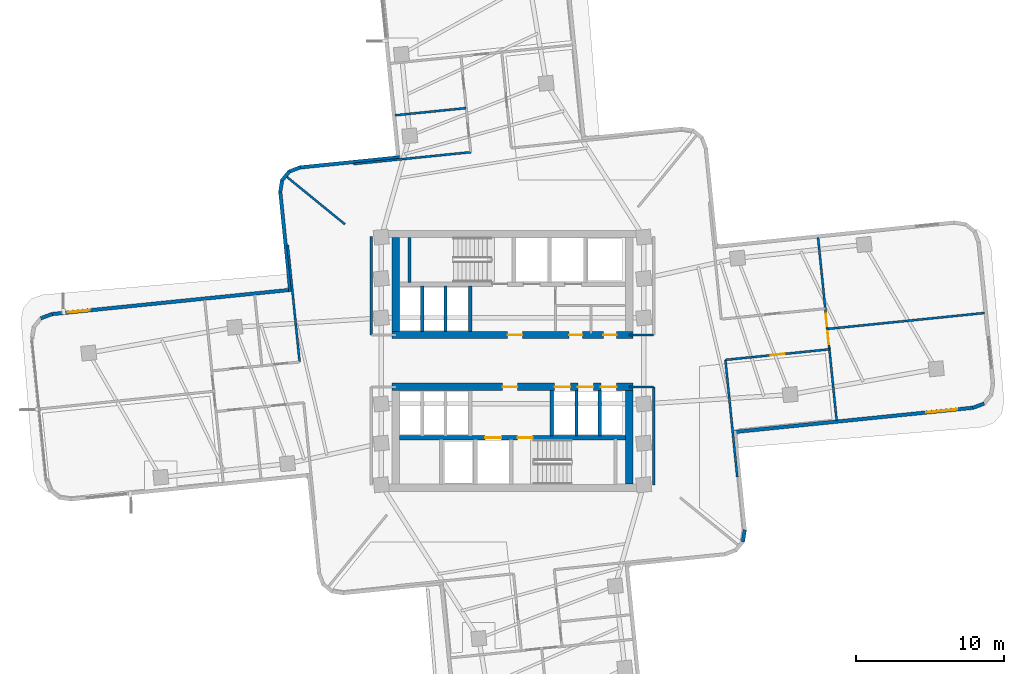
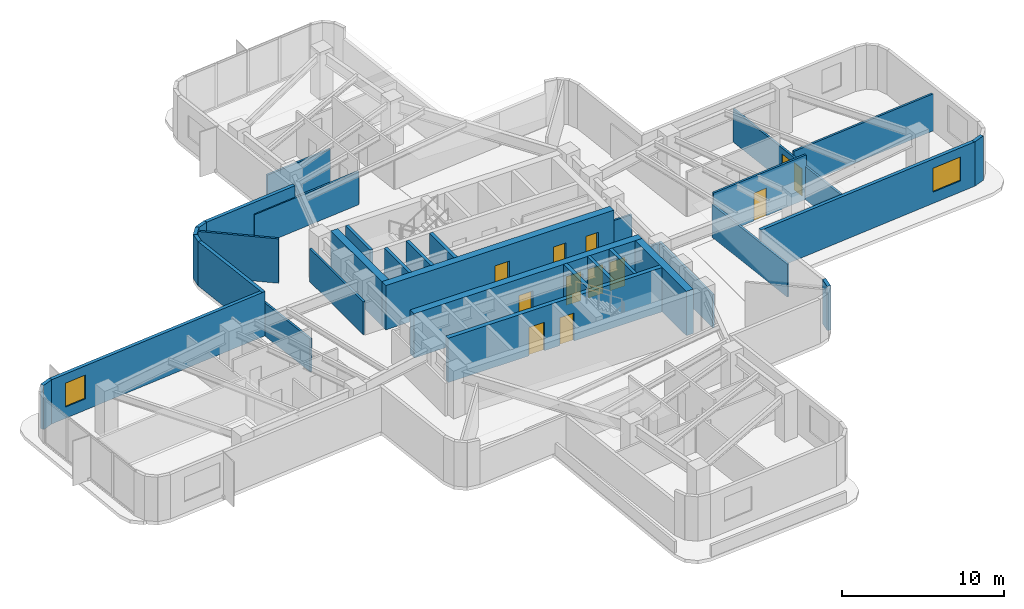
# One storey, part 8 of 14: 34 walls, 12 doors, 2 windows, 14 openings.
"""IFC4 building model written with IfcOpenShell, lengths in metres."""

from ifc_helpers import new_model, si_unit, direction, frame, frame_2d, origin, place, context, subcontext, project, spatial, rectangle, extrude, material, layer, layer_set, type_object, element, fill, save


model = new_model("IFC4")

# Units and contexts
model_context = context("Model", 3, precision=1e-05, world=origin(), true_north=direction((0.0, 1.0)))
body_context = subcontext(model_context, "Body", "Model", "MODEL_VIEW")
ifc_project = project(units=[si_unit("LENGTHUNIT", "METRE"), si_unit("AREAUNIT", "SQUARE_METRE"), si_unit("VOLUMEUNIT", "CUBIC_METRE"), si_unit("PLANEANGLEUNIT", "RADIAN"), si_unit("MASSUNIT", "GRAM", prefix="KILO")], contexts=[model_context])

# Site, building, storey
site_placement = place(None, origin())
site = spatial("IfcSite", under=ifc_project, at=site_placement, CompositionType="ELEMENT")
building_placement = place(site_placement, origin())
building = spatial("IfcBuilding", under=site, at=building_placement, Name="Solmarez Civic Tower", CompositionType="ELEMENT")
storey_placement = place(building_placement, frame((0.0, 0.0, 67.679931640625)))
storey = spatial("IfcBuildingStorey", under=building, at=storey_placement, Name="L17", CompositionType="ELEMENT", Elevation=67.679931640625)

# Wall, openings, doors
ifc_material_1 = material(Name="Concrete C60/75", Category="concrete")
ifc_layer_1 = layer(ifc_material_1, 0.5)
ifc_layer_set_1 = layer_set([ifc_layer_1], Name="Concrete C60/75")
wall_type_1 = type_object("IfcWallType", Name="WALL-CORE-500", PredefinedType="SHEAR", material=ifc_layer_set_1)
wall_1_placement = place(storey_placement, frame((8.1201171875, 1.75, 0.0), z_axis=(0.0, 0.0, 1.0), x_axis=(-1.0, 0.0, 0.0)))
wall_1 = element("IfcWall", 1, at=wall_1_placement, inside=storey, type_object=wall_type_1, Name="L17 Split-Core Structural Wall NCW-S-L17", PredefinedType="SHEAR", context=body_context, shape_type="SweptSolid", body=[
    extrude(rectangle(XDim=16.240234375, YDim=0.5, at=frame_2d((8.1201171875, 0.0))), origin(), (0.0, 0.0, 1.0), 3.340087890625),
])
opening_1_placement = place(wall_1_placement, frame((7.449951171875, 0.0, 0.0)))
opening_1 = element("IfcOpeningElement", 2, at=opening_1_placement, cuts=wall_1, Name="Opening D-04", PredefinedType="OPENING", context=body_context, shape_type="SweptSolid", body=[
    extrude(rectangle(XDim=1.0, YDim=2.10009765625, at=frame_2d((0.5, 1.050048828125))), frame((0.0, 0.260009765625, 0.0), z_axis=(0.0, -1.0, 0.0), x_axis=(1.0, 0.0, 0.0)), (0.0, 0.0, 1.0), 0.52001953125),
])
opening_2_placement = place(wall_1_placement, frame((3.39990234375, 0.0, 0.0)))
opening_2 = element("IfcOpeningElement", 3, at=opening_2_placement, cuts=wall_1, Name="Opening D-09", PredefinedType="OPENING", context=body_context, shape_type="SweptSolid", body=[
    extrude(rectangle(XDim=0.89990234375, YDim=2.06005859375, at=frame_2d((0.449951171875, 1.030029296875))), frame((0.0, 0.260009765625, 0.0), z_axis=(0.0, -1.0, 0.0), x_axis=(1.0, 0.0, 0.0)), (0.0, 0.0, 1.0), 0.52001953125),
])
opening_3_placement = place(wall_1_placement, frame((1.10009765625, 0.0, 0.0)))
opening_3 = element("IfcOpeningElement", 4, at=opening_3_placement, cuts=wall_1, Name="Opening D-09", PredefinedType="OPENING", context=body_context, shape_type="SweptSolid", body=[
    extrude(rectangle(XDim=0.89990234375, YDim=2.06005859375, at=frame_2d((0.449951171875, 1.030029296875))), frame((0.0, 0.260009765625, 0.0), z_axis=(0.0, -1.0, 0.0), x_axis=(1.0, 0.0, 0.0)), (0.0, 0.0, 1.0), 0.52001953125),
])
ifc_material_2 = material(Name="Steel-Faced Acoustic Fire Door", Category="steel")
door_type_1 = type_object("IfcDoorType", Name="DOOR-FD60-1000", OperationType="NOTDEFINED", PredefinedType="DOOR", material=ifc_material_2)
door_1_placement = place(opening_1_placement, origin())
door_1 = element("IfcDoor", 5, at=door_1_placement, inside=storey, type_object=door_type_1, Name="L17 North Firefighting Lobby Door", OperationType="SINGLE_SWING_RIGHT", OverallHeight=2.10009765625, OverallWidth=1.0, PredefinedType="DOOR", context=body_context, shape_type="SweptSolid", body=[
    extrude(rectangle(XDim=1.0, YDim=2.10009765625, at=frame_2d((0.5, 1.050048828125))), frame((0.0, 0.02490234375, 0.0), z_axis=(0.0, -1.0, 0.0), x_axis=(1.0, 0.0, 0.0)), (0.0, 0.0, 1.0), 0.050048828125),
])
fill(opening_1, door_1)
ifc_material_3 = material(Name="Fire-Rated Service Core Door", Category="wood")
door_type_2 = type_object("IfcDoorType", Name="DOOR-FD60-900", OperationType="NOTDEFINED", PredefinedType="DOOR", material=ifc_material_3)
door_2_placement = place(opening_2_placement, origin())
door_2 = element("IfcDoor", 6, at=door_2_placement, inside=storey, type_object=door_type_2, Name="L17 Core WC Door", OperationType="SINGLE_SWING_LEFT", OverallHeight=2.06005859375, OverallWidth=0.89990234375, PredefinedType="DOOR", context=body_context, shape_type="SweptSolid", body=[
    extrude(rectangle(XDim=0.89990234375, YDim=2.06005859375, at=frame_2d((0.449951171875, 1.030029296875))), frame((0.0, 0.02490234375, 0.0), z_axis=(0.0, -1.0, 0.0), x_axis=(1.0, 0.0, 0.0)), (0.0, 0.0, 1.0), 0.050048828125),
])
fill(opening_2, door_2)
door_3_placement = place(opening_3_placement, origin())
door_3 = element("IfcDoor", 7, at=door_3_placement, inside=storey, type_object=door_type_2, Name="L17 Core CL Door", OperationType="SINGLE_SWING_RIGHT", OverallHeight=2.06005859375, OverallWidth=0.89990234375, PredefinedType="DOOR", context=body_context, shape_type="SweptSolid", body=[
    extrude(rectangle(XDim=0.89990234375, YDim=2.06005859375, at=frame_2d((0.449951171875, 1.030029296875))), frame((0.0, 0.02490234375, 0.0), z_axis=(0.0, -1.0, 0.0), x_axis=(1.0, 0.0, 0.0)), (0.0, 0.0, 1.0), 0.050048828125),
])
fill(opening_3, door_3)

# Wall
wall_2_placement = place(storey_placement, frame((-7.8701171875, 2.0, 0.0), z_axis=(0.0, 0.0, 1.0), x_axis=(0.0, 1.0, 0.0)))
element("IfcWall", 8, at=wall_2_placement, inside=storey, type_object=wall_type_1, Name="L17 Split-Core Structural Wall NCW-W-L17", PredefinedType="SHEAR", context=body_context, shape_type="SweptSolid", body=[
    extrude(rectangle(XDim=6.31005859375, YDim=0.5, at=frame_2d((3.155029296875, 0.0))), origin(), (0.0, 0.0, 1.0), 3.340087890625),
])

# Wall, openings, doors
wall_3_placement = place(storey_placement, frame((-8.1201171875, -1.75, 0.0), z_axis=(0.0, 0.0, 1.0), x_axis=(1.0, 0.0, 0.0)))
wall_3 = element("IfcWall", 9, at=wall_3_placement, inside=storey, type_object=wall_type_1, Name="L17 Split-Core Structural Wall SCW-N-L17", PredefinedType="SHEAR", context=body_context, shape_type="SweptSolid", body=[
    extrude(rectangle(XDim=16.240234375, YDim=0.5, at=frame_2d((8.1201171875, 0.0))), origin(), (0.0, 0.0, 1.0), 3.340087890625),
])
opening_4_placement = place(wall_3_placement, frame((7.449951171875, 0.0, 0.0)))
opening_4 = element("IfcOpeningElement", 10, at=opening_4_placement, cuts=wall_3, Name="Opening D-04", PredefinedType="OPENING", context=body_context, shape_type="SweptSolid", body=[
    extrude(rectangle(XDim=1.0, YDim=2.10009765625, at=frame_2d((0.5, 1.050048828125))), frame((0.0, 0.260009765625, 0.0), z_axis=(0.0, -1.0, 0.0), x_axis=(1.0, 0.0, 0.0)), (0.0, 0.0, 1.0), 0.52001953125),
])
opening_5_placement = place(wall_3_placement, frame((10.965087890625, 0.0, 0.0)))
opening_5 = element("IfcOpeningElement", 11, at=opening_5_placement, cuts=wall_3, Name="Opening LD-01", PredefinedType="OPENING", context=body_context, shape_type="SweptSolid", body=[
    extrude(rectangle(XDim=1.050048828125, YDim=2.14990234375, at=frame_2d((0.52490234375, 1.074951171875))), frame((0.0, 0.260009765625, 0.0), z_axis=(0.0, -1.0, 0.0), x_axis=(1.0, 0.0, 0.0)), (0.0, 0.0, 1.0), 0.52001953125),
])
opening_6_placement = place(wall_3_placement, frame((12.52490234375, 0.0, 0.0)))
opening_6 = element("IfcOpeningElement", 12, at=opening_6_placement, cuts=wall_3, Name="Opening LD-01", PredefinedType="OPENING", context=body_context, shape_type="SweptSolid", body=[
    extrude(rectangle(XDim=1.050048828125, YDim=2.14990234375, at=frame_2d((0.52490234375, 1.074951171875))), frame((0.0, 0.260009765625, 0.0), z_axis=(0.0, -1.0, 0.0), x_axis=(1.0, 0.0, 0.0)), (0.0, 0.0, 1.0), 0.52001953125),
])
opening_7_placement = place(wall_3_placement, frame((14.0849609375, 0.0, 0.0)))
opening_7 = element("IfcOpeningElement", 13, at=opening_7_placement, cuts=wall_3, Name="Opening LD-01", PredefinedType="OPENING", context=body_context, shape_type="SweptSolid", body=[
    extrude(rectangle(XDim=1.050048828125, YDim=2.14990234375, at=frame_2d((0.52490234375, 1.074951171875))), frame((0.0, 0.260009765625, 0.0), z_axis=(0.0, -1.0, 0.0), x_axis=(1.0, 0.0, 0.0)), (0.0, 0.0, 1.0), 0.52001953125),
])
door_4_placement = place(opening_4_placement, origin())
door_4 = element("IfcDoor", 14, at=door_4_placement, inside=storey, type_object=door_type_1, Name="L17 South Firefighting Lobby Door", OperationType="SINGLE_SWING_LEFT", OverallHeight=2.10009765625, OverallWidth=1.0, PredefinedType="DOOR", context=body_context, shape_type="SweptSolid", body=[
    extrude(rectangle(XDim=1.0, YDim=2.10009765625, at=frame_2d((0.5, 1.050048828125))), frame((0.0, 0.02490234375, 0.0), z_axis=(0.0, -1.0, 0.0), x_axis=(1.0, 0.0, 0.0)), (0.0, 0.0, 1.0), 0.050048828125),
])
fill(opening_4, door_4)
ifc_material_4 = material(Name="Bronze Passenger Lift Landing Sliding Door", Category="aluminium")
door_type_3 = type_object("IfcDoorType", Name="DOOR-LD-PAX-1050", OperationType="DOUBLE_DOOR_SLIDING", PredefinedType="DOOR", material=ifc_material_4)
door_5_placement = place(opening_5_placement, origin())
door_5 = element("IfcDoor", 15, at=door_5_placement, inside=storey, type_object=door_type_3, Name="L17 Low-Rise Lift Landing Door PL-L1", OperationType="DOUBLE_DOOR_SLIDING", OverallHeight=2.14990234375, OverallWidth=1.050048828125, PredefinedType="DOOR", context=body_context, shape_type="SweptSolid", body=[
    extrude(rectangle(XDim=1.050048828125, YDim=2.14990234375, at=frame_2d((0.52490234375, 1.074951171875))), frame((0.0, 0.02490234375, 0.0), z_axis=(0.0, -1.0, 0.0), x_axis=(1.0, 0.0, 0.0)), (0.0, 0.0, 1.0), 0.050048828125),
])
fill(opening_5, door_5)
door_6_placement = place(opening_6_placement, origin())
door_6 = element("IfcDoor", 16, at=door_6_placement, inside=storey, type_object=door_type_3, Name="L17 Low-Rise Lift Landing Door PL-L2", OperationType="DOUBLE_DOOR_SLIDING", OverallHeight=2.14990234375, OverallWidth=1.050048828125, PredefinedType="DOOR", context=body_context, shape_type="SweptSolid", body=[
    extrude(rectangle(XDim=1.050048828125, YDim=2.14990234375, at=frame_2d((0.52490234375, 1.074951171875))), frame((0.0, 0.02490234375, 0.0), z_axis=(0.0, -1.0, 0.0), x_axis=(1.0, 0.0, 0.0)), (0.0, 0.0, 1.0), 0.050048828125),
])
fill(opening_6, door_6)
door_7_placement = place(opening_7_placement, origin())
door_7 = element("IfcDoor", 17, at=door_7_placement, inside=storey, type_object=door_type_3, Name="L17 Low-Rise Lift Landing Door PL-L3", OperationType="DOUBLE_DOOR_SLIDING", OverallHeight=2.14990234375, OverallWidth=1.050048828125, PredefinedType="DOOR", context=body_context, shape_type="SweptSolid", body=[
    extrude(rectangle(XDim=1.050048828125, YDim=2.14990234375, at=frame_2d((0.52490234375, 1.074951171875))), frame((0.0, 0.02490234375, 0.0), z_axis=(0.0, -1.0, 0.0), x_axis=(1.0, 0.0, 0.0)), (0.0, 0.0, 1.0), 0.050048828125),
])
fill(opening_7, door_7)

# Walls
wall_4_placement = place(storey_placement, frame((7.8701171875, -2.0, 0.0), z_axis=(0.0, 0.0, 1.0), x_axis=(0.0, -1.0, 0.0)))
element("IfcWall", 18, at=wall_4_placement, inside=storey, type_object=wall_type_1, Name="L17 Split-Core Structural Wall SCW-E-L17", PredefinedType="SHEAR", context=body_context, shape_type="SweptSolid", body=[
    extrude(rectangle(XDim=6.31005859375, YDim=0.5, at=frame_2d((3.155029296875, 0.0))), origin(), (0.0, 0.0, 1.0), 3.340087890625),
])
ifc_material_5 = material(Name="Precast concrete C40/50", Category="concrete")
ifc_layer_2 = layer(ifc_material_5, 0.239990234375)
ifc_layer_set_2 = layer_set([ifc_layer_2], Name="Precast concrete C40/50")
wall_type_2 = type_object("IfcWallType", Name="WALL-EXT-240", PredefinedType="SOLIDWALL", material=ifc_layer_set_2)
wall_5_placement = place(storey_placement, frame((-31.81494140625, 2.87109375, 0.0), z_axis=(0.0, 0.0, 1.0), x_axis=(0.934748415991, 0.355310285248, 0.0)))
element("IfcWall", 19, at=wall_5_placement, inside=storey, type_object=wall_type_2, Name="L17 Exterior Precast Wall 9", PredefinedType="SOLIDWALL", context=body_context, shape_type="SweptSolid", body=[
    extrude(rectangle(XDim=0.830078125, YDim=0.239990234375, at=frame_2d((0.4150390625, 0.0))), origin(), (0.0, 0.0, 1.0), 3.340087890625),
])

# Wall, opening, window
wall_6_placement = place(storey_placement, frame((-31.0869140625, 3.154052734375, 0.0), z_axis=(0.0, 0.0, 1.0), x_axis=(0.994872777564, 0.101134348577, 0.0)))
wall_6 = element("IfcWall", 20, at=wall_6_placement, inside=storey, type_object=wall_type_2, Name="L17 Exterior Precast Wall 10", PredefinedType="SOLIDWALL", context=body_context, shape_type="SweptSolid", body=[
    extrude(rectangle(XDim=16.275390625, YDim=0.239990234375, at=frame_2d((8.1376953125, 0.0))), origin(), (0.0, 0.0, 1.0), 3.340087890625),
])
opening_8_placement = place(wall_6_placement, frame((1.10009765625, 0.0, 0.85009765625)))
opening_8 = element("IfcOpeningElement", 21, at=opening_8_placement, cuts=wall_6, Name="Opening W-13", PredefinedType="OPENING", context=body_context, shape_type="SweptSolid", body=[
    extrude(rectangle(XDim=1.5, YDim=1.800048828125, at=frame_2d((0.75, 0.89990234375))), frame((0.0, 0.1298828125, 0.0), z_axis=(0.0, -1.0, 0.0), x_axis=(1.0, 0.0, 0.0)), (0.0, 0.0, 1.0), 0.260009765625),
])
ifc_material_6 = material(Name="Solar Control Bronze-Tinted Insulating Glass", Category="glass")
window_type_1 = type_object("IfcWindowType", Name="WIN-1500X1800", PartitioningType="SINGLE_PANEL", PredefinedType="WINDOW", material=ifc_material_6)
window_1_placement = place(opening_8_placement, origin())
window_1 = element("IfcWindow", 22, at=window_1_placement, inside=storey, type_object=window_type_1, Name="L17 Exterior Facade Window 10", OverallHeight=1.800048828125, OverallWidth=1.5, PartitioningType="SINGLE_PANEL", PredefinedType="WINDOW", context=body_context, shape_type="SweptSolid", body=[
    extrude(rectangle(XDim=1.5, YDim=1.800048828125, at=frame_2d((0.75, 0.89990234375))), frame((0.0, 0.030029296875, 0.0), z_axis=(0.0, -1.0, 0.0), x_axis=(1.0, 0.0, 0.0)), (0.0, 0.0, 1.0), 0.06005859375),
])
fill(opening_8, window_1)

# Walls
wall_7_placement = place(storey_placement, frame((-14.98095703125, 4.694091796875, 0.0), z_axis=(0.0, 0.0, 1.0), x_axis=(-0.101105402534, 0.994875719665, 0.0)))
element("IfcWall", 23, at=wall_7_placement, inside=storey, type_object=wall_type_2, Name="L17 Exterior Precast Wall 13", PredefinedType="SOLIDWALL", context=body_context, shape_type="SweptSolid", body=[
    extrude(rectangle(XDim=6.775634765625, YDim=0.239990234375, at=frame_2d((3.3876953125, 0.0))), origin(), (0.0, 0.0, 1.0), 3.340087890625),
])
wall_8_placement = place(storey_placement, frame((-15.6669921875, 11.385009765625, 0.0), z_axis=(0.0, 0.0, 1.0), x_axis=(0.160156284613, 0.987091669755, 0.0)))
element("IfcWall", 24, at=wall_8_placement, inside=storey, type_object=wall_type_2, Name="L17 Exterior Precast Wall 14", PredefinedType="SOLIDWALL", context=body_context, shape_type="SweptSolid", body=[
    extrude(rectangle(XDim=0.830810546875, YDim=0.239990234375, at=frame_2d((0.41552734375, 0.0))), origin(), (0.0, 0.0, 1.0), 3.340087890625),
])
wall_9_placement = place(storey_placement, frame((-15.553955078125, 12.160888671875, 0.0), z_axis=(0.0, 0.0, 1.0), x_axis=(0.632027096542, 0.774946287969, 0.0)))
element("IfcWall", 25, at=wall_9_placement, inside=storey, type_object=wall_type_2, Name="L17 Exterior Precast Wall 15", PredefinedType="SOLIDWALL", context=body_context, shape_type="SweptSolid", body=[
    extrude(rectangle(XDim=0.813232421875, YDim=0.239990234375, at=frame_2d((0.40673828125, 0.0))), origin(), (0.0, 0.0, 1.0), 3.340087890625),
])
wall_10_placement = place(storey_placement, frame((-15.0791015625, 12.762939453125, 0.0), z_axis=(0.0, 0.0, 1.0), x_axis=(0.934687869602, 0.355469529522, 0.0)))
element("IfcWall", 26, at=wall_10_placement, inside=storey, type_object=wall_type_2, Name="L17 Exterior Precast Wall 16", PredefinedType="SOLIDWALL", context=body_context, shape_type="SweptSolid", body=[
    extrude(rectangle(XDim=0.830322265625, YDim=0.239990234375, at=frame_2d((0.4150390625, 0.0))), origin(), (0.0, 0.0, 1.0), 3.340087890625),
])
wall_11_placement = place(storey_placement, frame((-14.35107421875, 13.0458984375, 0.0), z_axis=(0.0, 0.0, 1.0), x_axis=(0.994861212257, 0.101248053545, 0.0)))
element("IfcWall", 27, at=wall_11_placement, inside=storey, type_object=wall_type_2, Name="L17 Exterior Precast Wall 17", PredefinedType="SOLIDWALL", context=body_context, shape_type="SweptSolid", body=[
    extrude(rectangle(XDim=6.77587890625, YDim=0.239990234375, at=frame_2d((3.387939453125, 0.0))), origin(), (0.0, 0.0, 1.0), 3.340087890625),
])
wall_12_placement = place(storey_placement, frame((31.81494140625, -2.87109375, 0.0), z_axis=(0.0, 0.0, 1.0), x_axis=(-0.934748415991, -0.355310285248, 0.0)))
element("IfcWall", 28, at=wall_12_placement, inside=storey, type_object=wall_type_2, Name="L17 Exterior Precast Wall 45", PredefinedType="SOLIDWALL", context=body_context, shape_type="SweptSolid", body=[
    extrude(rectangle(XDim=0.830078125, YDim=0.239990234375, at=frame_2d((0.4150390625, 0.0))), origin(), (0.0, 0.0, 1.0), 3.340087890625),
])

# Wall, opening, window
wall_13_placement = place(storey_placement, frame((31.0869140625, -3.154052734375, 0.0), z_axis=(0.0, 0.0, 1.0), x_axis=(-0.994872777564, -0.101134348577, 0.0)))
wall_13 = element("IfcWall", 29, at=wall_13_placement, inside=storey, type_object=wall_type_2, Name="L17 Exterior Precast Wall 46", PredefinedType="SOLIDWALL", context=body_context, shape_type="SweptSolid", body=[
    extrude(rectangle(XDim=16.275390625, YDim=0.239990234375, at=frame_2d((8.1376953125, 0.0))), origin(), (0.0, 0.0, 1.0), 3.340087890625),
])
opening_9_placement = place(wall_13_placement, frame((1.10009765625, 0.0, 0.85009765625)))
opening_9 = element("IfcOpeningElement", 30, at=opening_9_placement, cuts=wall_13, Name="Opening W-07", PredefinedType="OPENING", context=body_context, shape_type="SweptSolid", body=[
    extrude(rectangle(XDim=2.10009765625, YDim=1.800048828125, at=frame_2d((1.050048828125, 0.89990234375))), frame((0.0, 0.1298828125, 0.0), z_axis=(0.0, -1.0, 0.0), x_axis=(1.0, 0.0, 0.0)), (0.0, 0.0, 1.0), 0.260009765625),
])
window_type_2 = type_object("IfcWindowType", Name="WIN-2100X1800", PartitioningType="SINGLE_PANEL", PredefinedType="WINDOW", material=ifc_material_6)
window_2_placement = place(opening_9_placement, origin())
window_2 = element("IfcWindow", 31, at=window_2_placement, inside=storey, type_object=window_type_2, Name="L17 Exterior Facade Window 46", OverallHeight=1.800048828125, OverallWidth=2.10009765625, PartitioningType="SINGLE_PANEL", PredefinedType="WINDOW", context=body_context, shape_type="SweptSolid", body=[
    extrude(rectangle(XDim=2.10009765625, YDim=1.800048828125, at=frame_2d((1.050048828125, 0.89990234375))), frame((0.0, 0.030029296875, 0.0), z_axis=(0.0, -1.0, 0.0), x_axis=(1.0, 0.0, 0.0)), (0.0, 0.0, 1.0), 0.06005859375),
])
fill(opening_9, window_2)

# Walls
wall_14_placement = place(storey_placement, frame((15.6669921875, -11.385009765625, 0.0), z_axis=(0.0, 0.0, 1.0), x_axis=(-0.160156284613, -0.987091669755, 0.0)))
element("IfcWall", 32, at=wall_14_placement, inside=storey, type_object=wall_type_2, Name="L17 Exterior Precast Wall 50", PredefinedType="SOLIDWALL", context=body_context, shape_type="SweptSolid", body=[
    extrude(rectangle(XDim=0.830810546875, YDim=0.239990234375, at=frame_2d((0.41552734375, 0.0))), origin(), (0.0, 0.0, 1.0), 3.340087890625),
])
ifc_material_7 = material(Name="Gypsum Board Acoustic Steel-Stud Partition", Category="steel")
ifc_layer_3 = layer(ifc_material_7, 0.14990234375)
ifc_layer_set_3 = layer_set([ifc_layer_3], Name="Gypsum Board Acoustic Steel-Stud Partition")
wall_type_3 = type_object("IfcWallType", Name="WALL-INT-FIRE-150", PredefinedType="PARTITIONING", material=ifc_layer_set_3)
wall_15_placement = place(storey_placement, frame((-9.52001953125, 1.75, 0.0), z_axis=(0.0, 0.0, 1.0), x_axis=(0.0, 1.0, 0.0)))
element("IfcWall", 33, at=wall_15_placement, inside=storey, type_object=wall_type_3, Name="L17 Interior Partition CHW-L17-WN1", PredefinedType="PARTITIONING", context=body_context, shape_type="SweptSolid", body=[
    extrude(rectangle(XDim=6.6298828125, YDim=0.14990234375, at=frame_2d((3.31494140625, 0.0))), origin(), (0.0, 0.0, 1.0), 2.486083984375),
])
wall_16_placement = place(storey_placement, frame((7.85009765625, 1.75, 0.0), z_axis=(0.0, 0.0, 1.0), x_axis=(1.0, 0.0, 0.0)))
element("IfcWall", 34, at=wall_16_placement, inside=storey, type_object=wall_type_3, Name="L17 Interior Partition CHW-L17-EN3", PredefinedType="PARTITIONING", context=body_context, shape_type="SweptSolid", body=[
    extrude(rectangle(XDim=1.669921875, YDim=0.14990234375, at=frame_2d((0.8349609375, 0.0))), origin(), (0.0, 0.0, 1.0), 2.405029296875),
])
wall_17_placement = place(storey_placement, frame((9.52001953125, -8.3798828125, 0.0), z_axis=(0.0, 0.0, 1.0), x_axis=(0.0, 1.0, 0.0)))
element("IfcWall", 35, at=wall_17_placement, inside=storey, type_object=wall_type_3, Name="L17 Interior Partition CHW-L17-ES1", PredefinedType="PARTITIONING", context=body_context, shape_type="SweptSolid", body=[
    extrude(rectangle(XDim=6.6298828125, YDim=0.14990234375, at=frame_2d((3.31494140625, 0.0))), origin(), (0.0, 0.0, 1.0), 2.486083984375),
])
wall_18_placement = place(storey_placement, frame((7.85009765625, -1.75, 0.0), z_axis=(0.0, 0.0, 1.0), x_axis=(1.0, 0.0, 0.0)))
element("IfcWall", 36, at=wall_18_placement, inside=storey, type_object=wall_type_3, Name="L17 Interior Partition CHW-L17-ES3", PredefinedType="PARTITIONING", context=body_context, shape_type="SweptSolid", body=[
    extrude(rectangle(XDim=1.669921875, YDim=0.14990234375, at=frame_2d((0.8349609375, 0.0))), origin(), (0.0, 0.0, 1.0), 2.405029296875),
])
ifc_layer_4 = layer(ifc_material_7, 0.14501953125)
ifc_layer_set_4 = layer_set([ifc_layer_4], Name="Gypsum Board Acoustic Steel-Stud Partition")
wall_type_4 = type_object("IfcWallType", Name="WALL-INT-PART-150", PredefinedType="PARTITIONING", material=ifc_layer_set_4)
wall_19_placement = place(storey_placement, frame((-11.300048828125, 9.216064453125, 0.0), z_axis=(0.0, 0.0, 1.0), x_axis=(-0.774936359867, 0.632039269473, 0.0)))
element("IfcWall", 37, at=wall_19_placement, inside=storey, type_object=wall_type_4, Name="L17 Interior Partition PT-L17-QDIV-2", PredefinedType="PARTITIONING", context=body_context, shape_type="SweptSolid", body=[
    extrude(rectangle(XDim=5.072509765625, YDim=0.14501953125, at=frame_2d((2.5361328125, 0.0))), origin(), (0.0, 0.0, 1.0), 3.340087890625),
])
wall_20_placement = place(storey_placement, frame((15.158935546875, -7.827880859375, 0.0), z_axis=(0.0, 0.0, 1.0), x_axis=(-0.101130341041, 0.994873184944, 0.0)))
element("IfcWall", 38, at=wall_20_placement, inside=storey, type_object=wall_type_4, Name="L17 Interior Partition PT-L17-E-EFR", PredefinedType="PARTITIONING", context=body_context, shape_type="SweptSolid", body=[
    extrude(rectangle(XDim=7.94970703125, YDim=0.14501953125, at=frame_2d((3.974853515625, 0.0))), origin(), (0.0, 0.0, 1.0), 2.486083984375),
])

# Wall, opening, door
wall_21_placement = place(storey_placement, frame((14.35595703125, 0.071044921875, 0.0), z_axis=(0.0, 0.0, 1.0), x_axis=(0.994874743202, 0.101115010447, 0.0)))
wall_21 = element("IfcWall", 39, at=wall_21_placement, inside=storey, type_object=wall_type_4, Name="L17 Interior Partition PT-L17-E-SR", PredefinedType="PARTITIONING", context=body_context, shape_type="SweptSolid", body=[
    extrude(rectangle(XDim=7.05029296875, YDim=0.14501953125, at=frame_2d((3.525146484375, 0.0))), origin(), (0.0, 0.0, 1.0), 3.340087890625),
])
opening_10_placement = place(wall_21_placement, frame((3.074951171875, 0.0, 0.0)))
opening_10 = element("IfcOpeningElement", 40, at=opening_10_placement, cuts=wall_21, Name="Opening D-10", PredefinedType="OPENING", context=body_context, shape_type="SweptSolid", body=[
    extrude(rectangle(XDim=0.949951171875, YDim=2.080078125, at=frame_2d((0.47509765625, 1.0400390625))), frame((0.0, 0.08251953125, 0.0), z_axis=(0.0, -1.0, 0.0), x_axis=(1.0, 0.0, 0.0)), (0.0, 0.0, 1.0), 0.1650390625),
])
ifc_material_8 = material(Name="Solid-Core Timber Ministry Office Door", Category="wood")
door_type_4 = type_object("IfcDoorType", Name="DOOR-INT-950", OperationType="NOTDEFINED", PredefinedType="DOOR", material=ifc_material_8)
door_8_placement = place(opening_10_placement, origin())
door_8 = element("IfcDoor", 41, at=door_8_placement, inside=storey, type_object=door_type_4, Name="L17 Breakout Huddle Room East Door", OperationType="SINGLE_SWING_RIGHT", OverallHeight=2.080078125, OverallWidth=0.949951171875, PredefinedType="DOOR", context=body_context, shape_type="SweptSolid", body=[
    extrude(rectangle(XDim=0.949951171875, YDim=2.080078125, at=frame_2d((0.47509765625, 1.0400390625))), frame((0.0, 0.02490234375, 0.0), z_axis=(0.0, -1.0, 0.0), x_axis=(1.0, 0.0, 0.0)), (0.0, 0.0, 1.0), 0.050048828125),
])
fill(opening_10, door_8)

# Wall
wall_22_placement = place(storey_placement, frame((21.2900390625, 2.1630859375, 0.0), z_axis=(0.0, 0.0, 1.0), x_axis=(0.994879916843, 0.101064093832, 0.0)))
element("IfcWall", 42, at=wall_22_placement, inside=storey, type_object=wall_type_4, Name="L17 Interior Partition PT-L17-E-TM", PredefinedType="PARTITIONING", context=body_context, shape_type="SweptSolid", body=[
    extrude(rectangle(XDim=10.59521484375, YDim=0.14501953125, at=frame_2d((5.297607421875, 0.0))), origin(), (0.0, 0.0, 1.0), 2.79296875),
])

# Wall, openings, doors
wall_23_placement = place(storey_placement, frame((20.60498046875, 8.320068359375, 0.0), z_axis=(0.0, 0.0, 1.0), x_axis=(0.101040883761, -0.994882274346, 0.0)))
wall_23 = element("IfcWall", 43, at=wall_23_placement, inside=storey, type_object=wall_type_4, Name="L17 Interior Partition PT-L17-E-END", PredefinedType="PARTITIONING", context=body_context, shape_type="SweptSolid", body=[
    extrude(rectangle(XDim=12.390625, YDim=0.14501953125, at=frame_2d((6.1953125, 0.0))), origin(), (0.0, 0.0, 1.0), 2.486083984375),
])
opening_11_placement = place(wall_23_placement, frame((6.364990234375, 0.0, 0.0)))
opening_11 = element("IfcOpeningElement", 44, at=opening_11_placement, cuts=wall_23, Name="Opening D-14", PredefinedType="OPENING", context=body_context, shape_type="SweptSolid", body=[
    extrude(rectangle(XDim=0.860107421875, YDim=2.0400390625, at=frame_2d((0.43017578125, 1.02001953125))), frame((0.0, 0.08251953125, 0.0), z_axis=(0.0, -1.0, 0.0), x_axis=(1.0, 0.0, 0.0)), (0.0, 0.0, 1.0), 0.1650390625),
])
opening_12_placement = place(wall_23_placement, frame((5.1650390625, 0.0, 0.0)))
opening_12 = element("IfcOpeningElement", 45, at=opening_12_placement, cuts=wall_23, Name="Opening D-14", PredefinedType="OPENING", context=body_context, shape_type="SweptSolid", body=[
    extrude(rectangle(XDim=0.860107421875, YDim=2.0400390625, at=frame_2d((0.43017578125, 1.02001953125))), frame((0.0, 0.08251953125, 0.0), z_axis=(0.0, -1.0, 0.0), x_axis=(1.0, 0.0, 0.0)), (0.0, 0.0, 1.0), 0.1650390625),
])
ifc_material_9 = material(Name="Timber Storage and Pantry Door", Category="wood")
door_type_5 = type_object("IfcDoorType", Name="DOOR-INT-850", OperationType="NOTDEFINED", PredefinedType="DOOR", material=ifc_material_9)
door_9_placement = place(opening_11_placement, origin())
door_9 = element("IfcDoor", 46, at=door_9_placement, inside=storey, type_object=door_type_5, Name="L17 Staff Tea Pantry Sixth East Door", OperationType="SINGLE_SWING_RIGHT", OverallHeight=2.0400390625, OverallWidth=0.860107421875, PredefinedType="DOOR", context=body_context, shape_type="SweptSolid", body=[
    extrude(rectangle(XDim=0.860107421875, YDim=2.0400390625, at=frame_2d((0.43017578125, 1.02001953125))), frame((0.0, 0.02490234375, 0.0), z_axis=(0.0, -1.0, 0.0), x_axis=(1.0, 0.0, 0.0)), (0.0, 0.0, 1.0), 0.050048828125),
])
fill(opening_11, door_9)
door_10_placement = place(opening_12_placement, origin())
door_10 = element("IfcDoor", 47, at=door_10_placement, inside=storey, type_object=door_type_5, Name="L17 Municipal Mailroom Fifth East Door", OperationType="SINGLE_SWING_LEFT", OverallHeight=2.0400390625, OverallWidth=0.860107421875, PredefinedType="DOOR", context=body_context, shape_type="SweptSolid", body=[
    extrude(rectangle(XDim=0.860107421875, YDim=2.0400390625, at=frame_2d((0.43017578125, 1.02001953125))), frame((0.0, 0.02490234375, 0.0), z_axis=(0.0, -1.0, 0.0), x_axis=(1.0, 0.0, 0.0)), (0.0, 0.0, 1.0), 0.050048828125),
])
fill(opening_12, door_10)

# Walls
wall_24_placement = place(storey_placement, frame((-2.806884765625, 14.077880859375, 0.0), z_axis=(0.0, 0.0, 1.0), x_axis=(-0.994898187299, -0.100884076592, 0.0)))
element("IfcWall", 48, at=wall_24_placement, inside=storey, type_object=wall_type_4, Name="L17 Interior Partition PT-L17-N-EFL", PredefinedType="PARTITIONING", context=body_context, shape_type="SweptSolid", body=[
    extrude(rectangle(XDim=7.94970703125, YDim=0.14501953125, at=frame_2d((3.974853515625, 0.0))), origin(), (0.0, 0.0, 1.0), 2.486083984375),
])
wall_25_placement = place(storey_placement, frame((-3.138916015625, 17.050048828125, 0.0), z_axis=(0.0, 0.0, 1.0), x_axis=(-0.994870487333, -0.101156875362, 0.0)))
element("IfcWall", 49, at=wall_25_placement, inside=storey, type_object=wall_type_4, Name="L17 Interior Partition PT-L17-N-LM", PredefinedType="PARTITIONING", context=body_context, shape_type="SweptSolid", body=[
    extrude(rectangle(XDim=4.795654296875, YDim=0.14501953125, at=frame_2d((2.39794921875, 0.0))), origin(), (0.0, 0.0, 1.0), 2.486083984375),
])
wall_26_placement = place(storey_placement, frame((-15.158935546875, 7.827880859375, 0.0), z_axis=(0.0, 0.0, 1.0), x_axis=(0.101130341041, -0.994873184944, 0.0)))
element("IfcWall", 50, at=wall_26_placement, inside=storey, type_object=wall_type_4, Name="L17 Interior Partition PT-L17-W-EFR", PredefinedType="PARTITIONING", context=body_context, shape_type="SweptSolid", body=[
    extrude(rectangle(XDim=7.94970703125, YDim=0.14501953125, at=frame_2d((3.974853515625, 0.0))), origin(), (0.0, 0.0, 1.0), 2.486083984375),
])

# Wall, openings, doors
ifc_material_10 = material(Name="Concrete C50/60", Category="concrete")
ifc_layer_5 = layer(ifc_material_10, 0.300048828125)
ifc_layer_set_5 = layer_set([ifc_layer_5], Name="Concrete C50/60")
wall_type_5 = type_object("IfcWallType", Name="WALL-STR-300", PredefinedType="SOLIDWALL", material=ifc_layer_set_5)
wall_27_placement = place(storey_placement, frame((-7.6201171875, -5.179931640625, 0.0), z_axis=(0.0, 0.0, 1.0), x_axis=(1.0, 0.0, 0.0)))
wall_27 = element("IfcWall", 51, at=wall_27_placement, inside=storey, type_object=wall_type_5, Name="L17 Split-Core Structural Wall SCW-M-L17", PredefinedType="SOLIDWALL", context=body_context, shape_type="SweptSolid", body=[
    extrude(rectangle(XDim=15.240234375, YDim=0.300048828125, at=frame_2d((7.6201171875, 0.0))), origin(), (0.0, 0.0, 1.0), 3.340087890625),
])
opening_13_placement = place(wall_27_placement, frame((5.77001953125, 0.0, 0.0)))
opening_13 = element("IfcOpeningElement", 52, at=opening_13_placement, cuts=wall_27, Name="Opening LD-02", PredefinedType="OPENING", context=body_context, shape_type="SweptSolid", body=[
    extrude(rectangle(XDim=1.10009765625, YDim=2.14990234375, at=frame_2d((0.550048828125, 1.074951171875))), frame((0.0, 0.159912109375, 0.0), z_axis=(0.0, -1.0, 0.0), x_axis=(1.0, 0.0, 0.0)), (0.0, 0.0, 1.0), 0.320068359375),
])
opening_14_placement = place(wall_27_placement, frame((7.969970703125, 0.0, 0.0)))
opening_14 = element("IfcOpeningElement", 53, at=opening_14_placement, cuts=wall_27, Name="Opening D-05", PredefinedType="OPENING", context=body_context, shape_type="SweptSolid", body=[
    extrude(rectangle(XDim=1.0, YDim=2.10009765625, at=frame_2d((0.5, 1.050048828125))), frame((0.0, 0.159912109375, 0.0), z_axis=(0.0, -1.0, 0.0), x_axis=(1.0, 0.0, 0.0)), (0.0, 0.0, 1.0), 0.320068359375),
])
ifc_material_11 = material(Name="Fire-Rated Stairwell Exit Door", Category="wood")
door_type_6 = type_object("IfcDoorType", Name="DOOR-FD90-1000", OperationType="NOTDEFINED", PredefinedType="DOOR", material=ifc_material_11)
door_11_placement = place(opening_14_placement, origin())
door_11 = element("IfcDoor", 54, at=door_11_placement, inside=storey, type_object=door_type_6, Name="L17 South Exit Stair Door ST-2", OperationType="SINGLE_SWING_LEFT", OverallHeight=2.10009765625, OverallWidth=1.0, PredefinedType="DOOR", context=body_context, shape_type="SweptSolid", body=[
    extrude(rectangle(XDim=1.0, YDim=2.10009765625, at=frame_2d((0.5, 1.050048828125))), frame((0.0, 0.02490234375, 0.0), z_axis=(0.0, -1.0, 0.0), x_axis=(1.0, 0.0, 0.0)), (0.0, 0.0, 1.0), 0.050048828125),
])
fill(opening_14, door_11)
ifc_material_12 = material(Name="Stainless Firefighting Lift Landing Sliding Door", Category="aluminium")
door_type_7 = type_object("IfcDoorType", Name="DOOR-LD-FF-1100", OperationType="DOUBLE_DOOR_SLIDING", PredefinedType="DOOR", material=ifc_material_12)
door_12_placement = place(opening_13_placement, origin())
door_12 = element("IfcDoor", 55, at=door_12_placement, inside=storey, type_object=door_type_7, Name="L17 Firefighting Lift Landing Door FFL-2", OperationType="DOUBLE_DOOR_SLIDING", OverallHeight=2.14990234375, OverallWidth=1.10009765625, PredefinedType="DOOR", context=body_context, shape_type="SweptSolid", body=[
    extrude(rectangle(XDim=1.10009765625, YDim=2.14990234375, at=frame_2d((0.550048828125, 1.074951171875))), frame((0.0, 0.02490234375, 0.0), z_axis=(0.0, -1.0, 0.0), x_axis=(1.0, 0.0, 0.0)), (0.0, 0.0, 1.0), 0.050048828125),
])
fill(opening_13, door_12)

# Walls
wall_28_placement = place(storey_placement, frame((-6.949951171875, 5.280029296875, 0.0), z_axis=(0.0, 0.0, 1.0), x_axis=(0.0, 1.0, 0.0)))
element("IfcWall", 56, at=wall_28_placement, inside=storey, type_object=wall_type_5, Name="L17 Split-Core Structural Wall SHW-NW-L17", PredefinedType="SOLIDWALL", context=body_context, shape_type="SweptSolid", body=[
    extrude(rectangle(XDim=3.06005859375, YDim=0.219970703125, at=frame_2d((1.530029296875, 0.0))), origin(), (0.0, 0.0, 1.0), 3.340087890625),
])
for number, where, z_axis, x_axis, name in (
    (57, (-2.85009765625, 1.97998046875, 0.0), (0.0, 0.0, 1.0), (0.0, 1.0, 0.0), "L17 Split-Core Structural Wall SHW-NL1-L17"),
    (58, (2.64990234375, -5.050048828125, 0.0), (0.0, 0.0, 1.0), (0.0, 1.0, 0.0), "L17 Split-Core Structural Wall SHW-SL2-L17"),
):
    element("IfcWall", number, at=place(storey_placement, frame(where, z_axis=z_axis, x_axis=x_axis)), inside=storey, type_object=wall_type_5, Name=name, PredefinedType="SOLIDWALL", context=body_context, shape_type="SweptSolid", body=[
        extrude(rectangle(XDim=3.070068359375, YDim=0.25, at=frame_2d((1.53515625, 0.0))), origin(), (0.0, 0.0, 1.0), 3.340087890625),
    ])
for number, where, z_axis, x_axis, name in (
    (59, (-6.080078125, 1.97998046875, 0.0), (0.0, 0.0, 1.0), (0.0, 1.0, 0.0), "L17 Split-Core Structural Wall SHW-PLH-L17-1"),
    (60, (-4.52001953125, 1.97998046875, 0.0), (0.0, 0.0, 1.0), (0.0, 1.0, 0.0), "L17 Split-Core Structural Wall SHW-PLH-L17-2"),
    (61, (4.320068359375, -5.050048828125, 0.0), (0.0, 0.0, 1.0), (0.0, 1.0, 0.0), "L17 Split-Core Structural Wall SHW-PLL-L17-1"),
    (62, (5.8798828125, -5.050048828125, 0.0), (0.0, 0.0, 1.0), (0.0, 1.0, 0.0), "L17 Split-Core Structural Wall SHW-PLL-L17-2"),
):
    element("IfcWall", number, at=place(storey_placement, frame(where, z_axis=z_axis, x_axis=x_axis)), inside=storey, type_object=wall_type_5, Name=name, PredefinedType="SOLIDWALL", context=body_context, shape_type="SweptSolid", body=[
        extrude(rectangle(XDim=3.070068359375, YDim=0.219970703125, at=frame_2d((1.53515625, 0.0))), origin(), (0.0, 0.0, 1.0), 3.340087890625),
    ])

save(model, "model.ifc")
